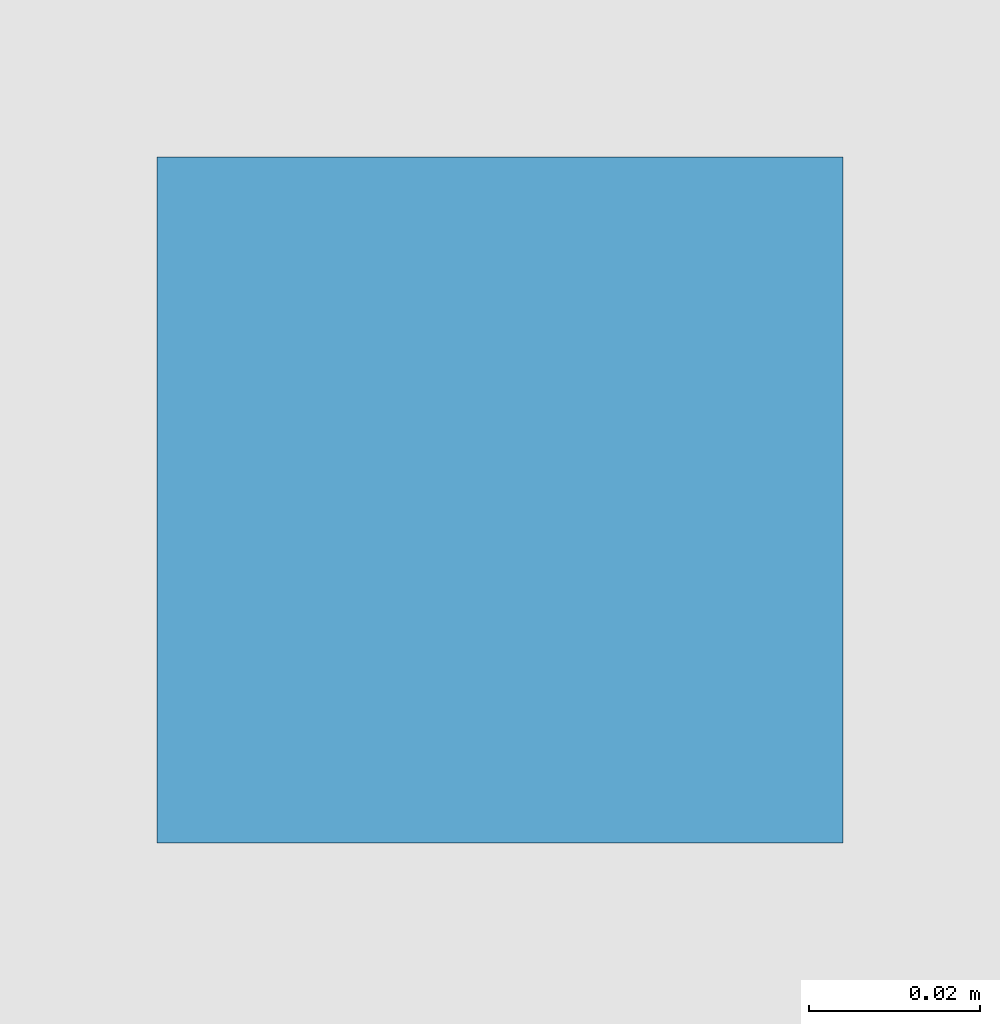
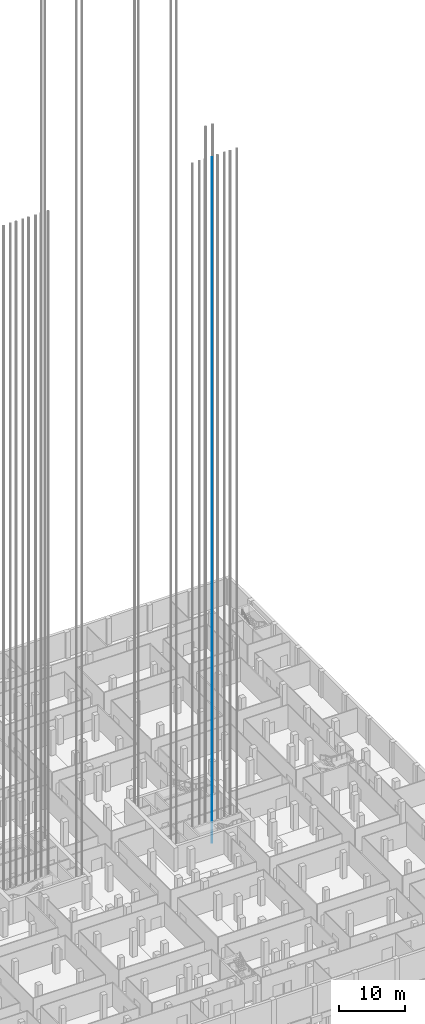
# One storey, part 45 of 54: 1 discrete accessory.
"""IFC4 building model written with IfcOpenShell, lengths in metres."""

import ifcopenshell
import ifcopenshell.guid

model = None  # the IFC model being written
_history = None  # IfcOwnerHistory: only IFC2X3 demands one
_inside = {}  # id of a spatial element -> (the spatial element, [elements in it])
_under = {}  # id of a project, library or spatial element -> (it, [spatial elements below it])
_declared = {}  # id of a project -> (the project, [libraries it declares])
_typed = {}  # id of a type object -> (the type object, [elements of that type])
_made_of = {}  # id of a material, layer set ... -> (it, [elements and type objects made of it])


def new_model(schema):
    """Start an empty IFC model of exactly this schema.

    Asked for "IFC4X3", IfcOpenShell would pick the latest addendum, in which some entities
    have other attributes; the version numbers below select the first issue.
    IFC2X3 requires an IfcOwnerHistory on every rooted entity: one is made here for all.
    """
    global model, _history
    if schema == "IFC4X3":
        model = ifcopenshell.file(schema_version=(4, 3, 0, 0))
    else:
        model = ifcopenshell.file(schema=schema)
    _inside.clear()
    _under.clear()
    _declared.clear()
    _typed.clear()
    _made_of.clear()
    _history = None
    if model.schema == "IFC2X3":
        org = make("IfcOrganization", Name="unknown")
        user = make(
            "IfcPersonAndOrganization",
            ThePerson=make("IfcPerson", FamilyName="unknown"),
            TheOrganization=org,
        )
        app = make(
            "IfcApplication",
            ApplicationDeveloper=org,
            Version="unknown",
            ApplicationFullName="unknown",
            ApplicationIdentifier="unknown",
        )
        _history = make(
            "IfcOwnerHistory",
            OwningUser=user,
            OwningApplication=app,
            ChangeAction="ADDED",
            CreationDate=0,
        )
    return model


def make(cls, **values):
    """One entity of the class cls with the attributes given. An attribute that is None is left unset."""
    return model.create_entity(
        cls, **{name: value for name, value in values.items() if value is not None}
    )


def rooted(cls, **values):
    """An entity with a GlobalId (a new one), such as an element, a storey or a relation."""
    return make(cls, GlobalId=ifcopenshell.guid.new(), OwnerHistory=_history, **values)


def si_unit(unit_type, name, prefix=None):
    """IfcSIUnit, for example si_unit("LENGTHUNIT", "METRE", prefix="MILLI")."""
    return make("IfcSIUnit", UnitType=unit_type, Prefix=prefix, Name=name)


def assignment(units):
    """IfcUnitAssignment: the units of a project."""
    return None if units is None else make("IfcUnitAssignment", Units=units)


def point(xyz):
    """IfcCartesianPoint."""
    return None if xyz is None else make("IfcCartesianPoint", Coordinates=xyz)


def direction(xyz):
    """IfcDirection."""
    return None if xyz is None else make("IfcDirection", DirectionRatios=xyz)


def frame(location, z_axis=None, x_axis=None):
    """IfcAxis2Placement3D, a coordinate frame: its origin and axes. An axis left out is left unset."""
    return make(
        "IfcAxis2Placement3D",
        Location=point(location),
        Axis=direction(z_axis),
        RefDirection=direction(x_axis),
    )


def frame_2d(location, x_axis=None):
    """IfcAxis2Placement2D, a coordinate frame in the plane: its origin and x axis."""
    return make(
        "IfcAxis2Placement2D", Location=point(location), RefDirection=direction(x_axis)
    )


def origin():
    """The frame at (0, 0, 0) with its axes left unset."""
    return frame((0.0, 0.0, 0.0))


def origin_2d():
    """The frame at (0, 0) in the plane with its x axis left unset."""
    return frame_2d((0.0, 0.0))


def place(relative_to, where):
    """IfcLocalPlacement: puts the frame where relative to a parent placement (None: the world)."""
    return make(
        "IfcLocalPlacement", PlacementRelTo=relative_to, RelativePlacement=where
    )


def context(
    kind, dimensions, precision=None, world=None, true_north=None, identifier=None
):
    """IfcGeometricRepresentationContext, for example the 3D "Model" context."""
    return make(
        "IfcGeometricRepresentationContext",
        ContextIdentifier=identifier,
        ContextType=kind,
        CoordinateSpaceDimension=dimensions,
        Precision=precision,
        WorldCoordinateSystem=world,
        TrueNorth=true_north,
    )


def subcontext(parent, identifier, kind, view, scale=None):
    """IfcGeometricRepresentationSubContext, for example "Body" below "Model"."""
    return make(
        "IfcGeometricRepresentationSubContext",
        ContextIdentifier=identifier,
        ContextType=kind,
        ParentContext=parent,
        TargetScale=scale,
        TargetView=view,
    )


def project(units=None, contexts=None):
    """IfcProject with its units and contexts."""
    return rooted(
        "IfcProject",
        Name="project",
        RepresentationContexts=contexts,
        UnitsInContext=assignment(units),
    )


def spatial(cls, under=None, at=None, **own):
    """A site, building, storey or space (cls), placed at a placement, below another one or the project."""
    s = rooted(cls, ObjectPlacement=at, **own)
    if under is not None:
        _under.setdefault(under.id(), (under, []))[1].append(s)
    return s


def profile(cls, at=None, kind="AREA", **sizes):
    """A parametric profile (cls). Its sizes go by their IFC names, for example OverallWidth=200.0."""
    return make(cls, ProfileType=kind, Position=at, **sizes)


def rectangle(**sizes):
    """IfcRectangleProfileDef."""
    return profile("IfcRectangleProfileDef", **sizes)


def extrude(swept, where, along, depth):
    """IfcExtrudedAreaSolid: the profile swept, set in the frame where, extruded along a direction by depth."""
    return make(
        "IfcExtrudedAreaSolid",
        SweptArea=swept,
        Position=where,
        ExtrudedDirection=direction(along),
        Depth=depth,
    )


def shape(context_of_items, identifier, shape_type, items):
    """IfcShapeRepresentation: the items that make up one representation, for example the "Body"."""
    return make(
        "IfcShapeRepresentation",
        ContextOfItems=context_of_items,
        RepresentationIdentifier=identifier,
        RepresentationType=shape_type,
        Items=items,
    )


def material(Name=None, Category=None):
    """IfcMaterial."""
    return make("IfcMaterial", Name=Name, Category=Category)


def made_of(thing, what):
    """Note that an element or type object is made of a material, layer set ...; save() writes the relation."""
    if what is not None:
        _made_of.setdefault(what.id(), (what, []))[1].append(thing)
    return thing


def element(
    cls,
    number,
    at=None,
    inside=None,
    cuts=None,
    type_object=None,
    material=None,
    context=None,
    identifier="Body",
    shape_type=None,
    held_by="IfcProductDefinitionShape",
    body=None,
    shapes=None,
    **own,
):
    """One element of the class cls, such as IfcWall. Its Tag is "e" and its number.

    at: its placement. inside: the storey or other place that contains it. cuts: it is an
    opening in that element (IfcRelVoidsElement). A single representation is given by context,
    identifier, shape_type and body (its items); several are given by shapes. held_by: the class
    of the entity that holds the representations. save() writes the other relations.
    """
    e = rooted(cls, Tag="e%d" % number, ObjectPlacement=at, **own)
    if body is not None:
        shapes = [shape(context, identifier, shape_type, body)]
    if shapes is not None:
        e.Representation = make(held_by, Representations=shapes)
    if inside is not None:
        _inside.setdefault(inside.id(), (inside, []))[1].append(e)
    if cuts is not None:
        rooted(
            "IfcRelVoidsElement", RelatingBuildingElement=cuts, RelatedOpeningElement=e
        )
    if type_object is not None:
        _typed.setdefault(type_object.id(), (type_object, []))[1].append(e)
    return made_of(e, material)


def aggregate(whole, parts):
    """IfcRelAggregates: a whole, such as a stair, and the parts it consists of."""
    return rooted("IfcRelAggregates", RelatingObject=whole, RelatedObjects=parts)


def save(model, path):
    """Write the relations noted so far, then the file.

    IfcRelAggregates (storeys below a building ...), IfcRelContainedInSpatialStructure (elements
    in a storey), IfcRelDefinesByType, IfcRelAssociatesMaterial and IfcRelDeclares: one each for
    every whole, place, type object, material and project.
    """
    for whole, parts in _under.values():
        aggregate(whole, parts)
    for where, things in _inside.values():
        rooted(
            "IfcRelContainedInSpatialStructure",
            RelatedElements=things,
            RelatingStructure=where,
        )
    for kind, things in _typed.values():
        rooted("IfcRelDefinesByType", RelatedObjects=things, RelatingType=kind)
    for what, things in _made_of.values():
        rooted("IfcRelAssociatesMaterial", RelatedObjects=things, RelatingMaterial=what)
    for by, libraries in _declared.values():
        rooted("IfcRelDeclares", RelatingContext=by, RelatedDefinitions=libraries)
    model.write(path)


model = new_model("IFC4")

# Units and contexts
model_context = context("Model", 3, precision=1e-05, world=origin(), true_north=direction((0.0, 1.0)))
body_context = subcontext(model_context, "Body", "Model", "MODEL_VIEW")
ifc_project = project(units=[si_unit("LENGTHUNIT", "METRE"), si_unit("AREAUNIT", "SQUARE_METRE"), si_unit("VOLUMEUNIT", "CUBIC_METRE"), si_unit("PLANEANGLEUNIT", "RADIAN"), si_unit("MASSUNIT", "GRAM", prefix="KILO")], contexts=[model_context])

# Site, building, storey
site_placement = place(None, origin())
site = spatial("IfcSite", under=ifc_project, at=site_placement, CompositionType="ELEMENT")
building_placement = place(site_placement, origin())
building = spatial("IfcBuilding", under=site, at=building_placement, Name="Fustian Cross Tower", CompositionType="ELEMENT")
storey_placement = place(building_placement, frame((0.0, 0.0, -4.800048828125)))
storey = spatial("IfcBuildingStorey", under=building, at=storey_placement, Name="B1", CompositionType="ELEMENT", Elevation=-4.800048828125)

# Discrete accessory
ifc_material = material(Name="Steel S355", Category="steel")
discrete_accessory_placement = place(storey_placement, frame((16.074951171875, -3.7099609375, 0.0), z_axis=(0.0, 0.0, 1.0), x_axis=(1.0, 0.0, 0.0)))
element("IfcDiscreteAccessory", 1, at=discrete_accessory_placement, inside=storey, material=ifc_material, Name="Lift guide rail LR2 2", PredefinedType="NOTDEFINED", context=body_context, shape_type="SweptSolid", body=[
    extrude(rectangle(XDim=0.080078125, YDim=0.080078125, at=origin_2d()), origin(), (0.0, 0.0, 1.0), 127.14990234375),
])

save(model, "model.ifc")
